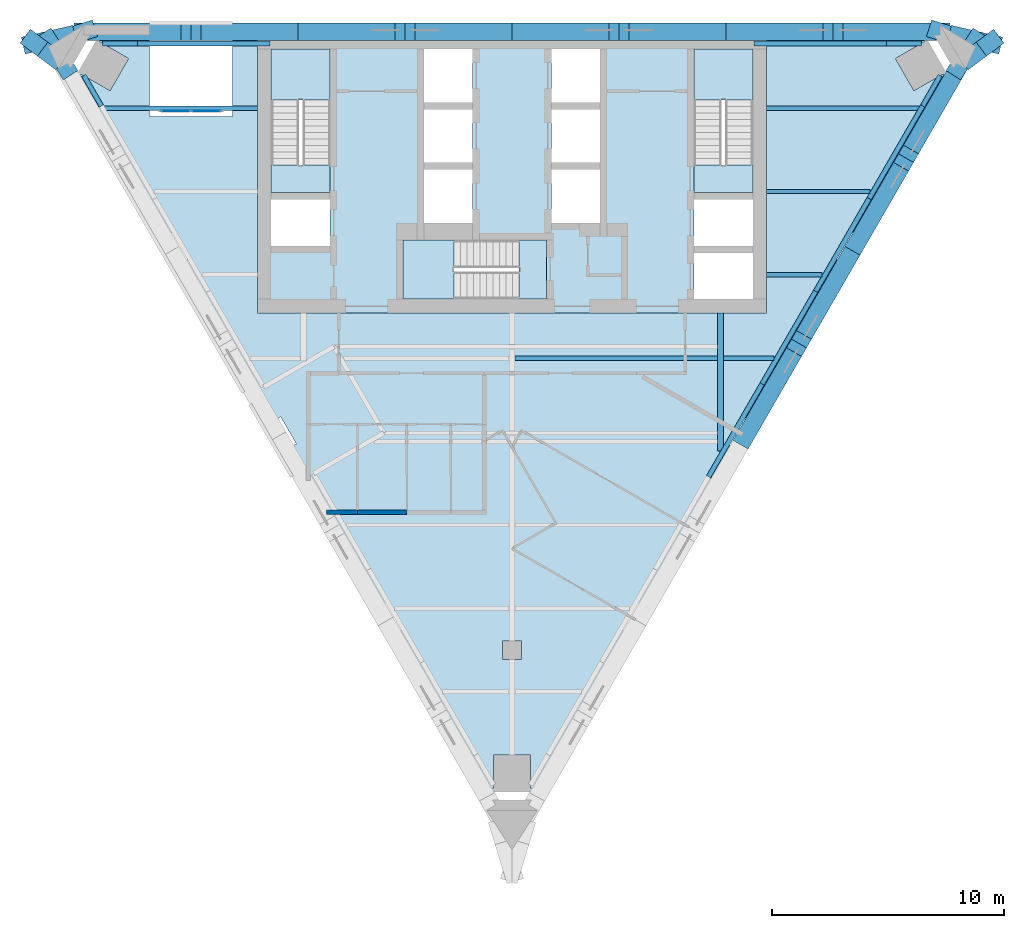
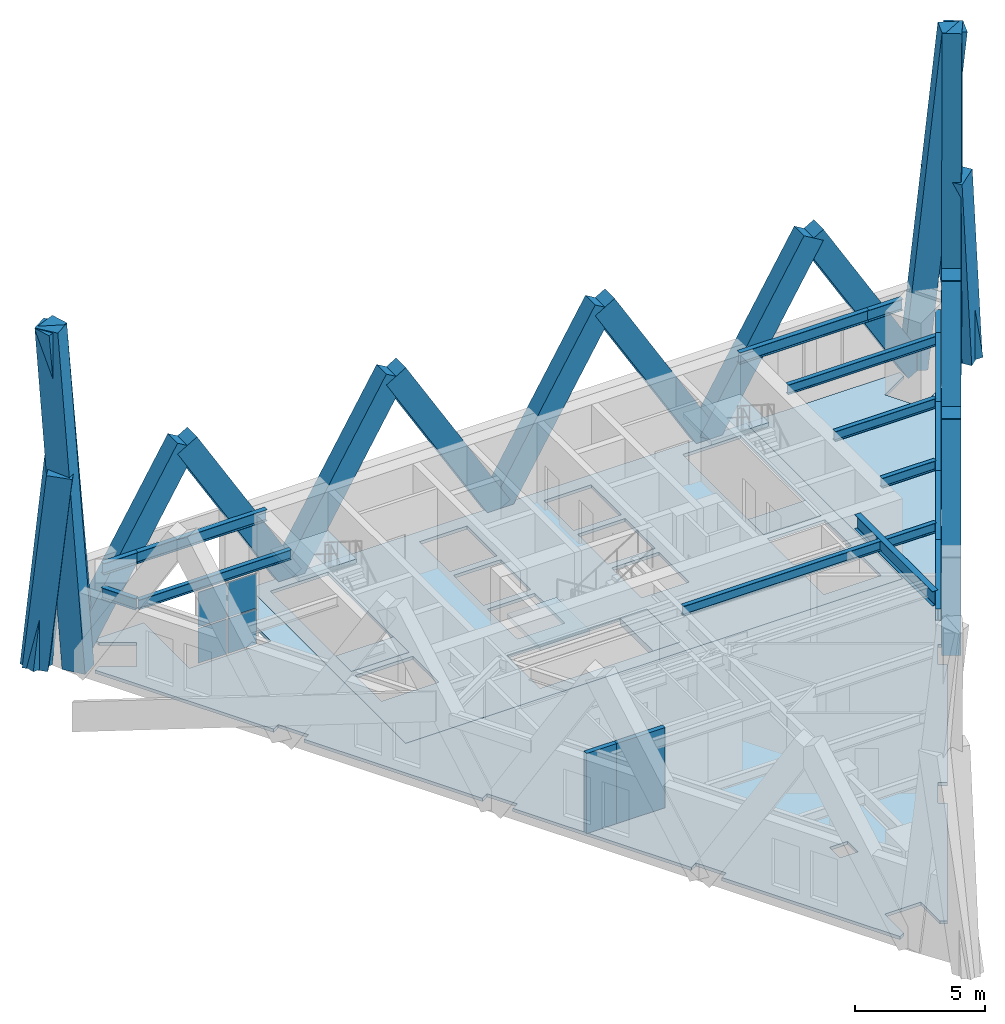
# One storey, part 3 of 9: 20 members, 17 beams, 8 slabs, 4 plates, 2 walls, 4 elements without a shape of their own.
"""IFC4 building model written with IfcOpenShell, lengths in metres."""

from ifc_helpers import new_model, si_unit, direction, frame, frame_2d, origin, origin_2d, place, context, subcontext, project, spatial, polyline, rectangle, i_section, outline, extrude, material, layer, layer_set, material_profile, profile_set, type_object, element, aggregate, save


model = new_model("IFC4")

# Units and contexts
model_context = context("Model", 3, precision=1e-05, world=origin(), true_north=direction((0.0, 1.0)))
body_context = subcontext(model_context, "Body", "Model", "MODEL_VIEW")
ifc_project = project(units=[si_unit("LENGTHUNIT", "METRE"), si_unit("AREAUNIT", "SQUARE_METRE"), si_unit("VOLUMEUNIT", "CUBIC_METRE"), si_unit("PLANEANGLEUNIT", "RADIAN"), si_unit("MASSUNIT", "GRAM", prefix="KILO")], contexts=[model_context])

# Site, building, storey
site_placement = place(None, origin())
site = spatial("IfcSite", under=ifc_project, at=site_placement, CompositionType="ELEMENT")
building_placement = place(site_placement, origin())
building = spatial("IfcBuilding", under=site, at=building_placement, Name="Aloe Facet Convention Tower", CompositionType="ELEMENT")
storey_placement = place(building_placement, frame((0.0, 0.0, 254.300048828125)))
storey = spatial("IfcBuildingStorey", under=building, at=storey_placement, Name="L62", CompositionType="ELEMENT", Elevation=254.300048828125)

# Beams
ifc_material_1 = material(Name="Steel S355", Category="steel")
ifc_material_profile_1 = material_profile(ifc_material_1, i_section(OverallWidth=0.19140625, OverallDepth=0.4599609375, WebThickness=0.010009765625, FlangeThickness=0.01611328125, FilletRadius=0.01025390625, at=origin_2d()), Name="UB 457x191x82")
ifc_profile_set_1 = profile_set([ifc_material_profile_1], Name="Steel S355")
beam_type_1 = type_object("IfcBeamType", Name="SF-B-UB457x191x82", PredefinedType="BEAM", material=ifc_profile_set_1)
beam_1_placement = place(storey_placement, frame((62.26611328125, 131.39990234375, 3.52001953125), z_axis=(1.0, 0.0, 0.0), x_axis=(0.0, 1.0, 0.0)))
element("IfcBeam", 1, at=beam_1_placement, inside=storey, type_object=beam_type_1, Name="Floor beam FB-Z5E-029", PredefinedType="BEAM", context=body_context, shape_type="SweptSolid", body=[
    extrude(i_section(OverallWidth=0.19140625, OverallDepth=0.4599609375, WebThickness=0.010009765625, FlangeThickness=0.01611328125, FilletRadius=0.01025390625, at=origin_2d()), origin(), (0.0, 0.0, 1.0), 6.73388671875),
])
beam_2_placement = place(storey_placement, frame((80.12646484375, 120.60009765625, 3.52001953125), z_axis=(1.0, 0.0, 0.0), x_axis=(0.0, 1.0, 0.0)))
element("IfcBeam", 2, at=beam_2_placement, inside=storey, type_object=beam_type_1, Name="Floor beam FB-Z5E-044", PredefinedType="BEAM", context=body_context, shape_type="SweptSolid", body=[
    extrude(i_section(OverallWidth=0.19140625, OverallDepth=0.4599609375, WebThickness=0.010009765625, FlangeThickness=0.01611328125, FilletRadius=0.01025390625, at=origin_2d()), origin(), (0.0, 0.0, 1.0), 8.7470703125),
])
beam_3_placement = place(storey_placement, frame((89.12646484375, 120.60009765625, 3.52001953125), z_axis=(1.0, 0.0, 0.0), x_axis=(0.0, 1.0, 0.0)))
element("IfcBeam", 3, at=beam_3_placement, inside=storey, type_object=beam_type_1, Name="Floor beam FB-Z5E-045", PredefinedType="BEAM", context=body_context, shape_type="SweptSolid", body=[
    extrude(i_section(OverallWidth=0.19140625, OverallDepth=0.4599609375, WebThickness=0.010009765625, FlangeThickness=0.01611328125, FilletRadius=0.01025390625, at=origin_2d()), origin(), (0.0, 0.0, 1.0), 2.185791015625),
])
beam_4_placement = place(storey_placement, frame((91.0, 124.199951171875, 3.52001953125), z_axis=(1.0, 0.0, 0.0), x_axis=(0.0, 1.0, 0.0)))
element("IfcBeam", 4, at=beam_4_placement, inside=storey, type_object=beam_type_1, Name="Floor beam FB-Z5E-046", PredefinedType="BEAM", context=body_context, shape_type="SweptSolid", body=[
    extrude(i_section(OverallWidth=0.19140625, OverallDepth=0.4599609375, WebThickness=0.010009765625, FlangeThickness=0.01611328125, FilletRadius=0.01025390625, at=origin_2d()), origin(), (0.0, 0.0, 1.0), 2.390869140625),
])
beam_5_placement = place(storey_placement, frame((91.0, 127.800048828125, 3.52001953125), z_axis=(1.0, 0.0, 0.0), x_axis=(0.0, 1.0, 0.0)))
element("IfcBeam", 5, at=beam_5_placement, inside=storey, type_object=beam_type_1, Name="Floor beam FB-Z5E-047", PredefinedType="BEAM", context=body_context, shape_type="SweptSolid", body=[
    extrude(i_section(OverallWidth=0.19140625, OverallDepth=0.4599609375, WebThickness=0.010009765625, FlangeThickness=0.01611328125, FilletRadius=0.01025390625, at=origin_2d()), origin(), (0.0, 0.0, 1.0), 4.46923828125),
])
beam_6_placement = place(storey_placement, frame((91.0, 131.39990234375, 3.52001953125), z_axis=(1.0, 0.0, 0.0), x_axis=(0.0, 1.0, 0.0)))
element("IfcBeam", 6, at=beam_6_placement, inside=storey, type_object=beam_type_1, Name="Floor beam FB-Z5E-048", PredefinedType="BEAM", context=body_context, shape_type="SweptSolid", body=[
    extrude(i_section(OverallWidth=0.19140625, OverallDepth=0.4599609375, WebThickness=0.010009765625, FlangeThickness=0.01611328125, FilletRadius=0.01025390625, at=origin_2d()), origin(), (0.0, 0.0, 1.0), 6.73388671875),
])
ifc_material_2 = material(Name="Steel S355", Category="steel")
ifc_material_profile_2 = material_profile(ifc_material_2, i_section(OverallWidth=0.209228515625, OverallDepth=0.533203125, WebThickness=0.010009765625, FlangeThickness=0.015625, FilletRadius=0.0126953125, at=origin_2d()), Name="UB 533x210x92")
ifc_profile_set_2 = profile_set([ifc_material_profile_2], Name="Steel S355")
beam_type_2 = type_object("IfcBeamType", Name="SF-B-UB533x210x92", PredefinedType="BEAM", material=ifc_profile_set_2)
for number, where, z_axis, x_axis, name in (
    (7, (62.26611328125, 131.495849609375, 3.4833984375), (-0.49996389635, 0.866046247233, 0.0), (-0.866046247233, -0.49996389635, 0.0), "Floor beam FB-Z5E-001"),
    (8, (62.3076171875, 134.1953125, 3.4833984375), (1.0, 0.0, 0.0), (0.0, 1.0, 0.0), "Floor beam FB-Z5E-002"),
):
    element("IfcBeam", number, at=place(storey_placement, frame(where, z_axis=z_axis, x_axis=x_axis)), inside=storey, type_object=beam_type_2, Name=name, PredefinedType="BEAM", context=body_context, shape_type="SweptSolid", body=[
        extrude(i_section(OverallWidth=0.209228515625, OverallDepth=0.533203125, WebThickness=0.010009765625, FlangeThickness=0.015625, FilletRadius=0.0126953125, at=origin_2d()), origin(), (0.0, 0.0, 1.0), 1.51708984375),
    ])
for number, where, z_axis, x_axis, name in (
    (9, (63.82470703125, 134.1953125, 3.4833984375), (1.0, 0.0, 0.0), (0.0, 1.0, 0.0), "Floor beam FB-Z5E-003"),
    (10, (90.453857421875, 134.1953125, 3.4833984375), (1.0, 0.0, 0.0), (0.0, 1.0, 0.0), "Floor beam FB-Z5E-018"),
):
    element("IfcBeam", number, at=place(storey_placement, frame(where, z_axis=z_axis, x_axis=x_axis)), inside=storey, type_object=beam_type_2, Name=name, PredefinedType="BEAM", context=body_context, shape_type="SweptSolid", body=[
        extrude(i_section(OverallWidth=0.209228515625, OverallDepth=0.533203125, WebThickness=0.010009765625, FlangeThickness=0.015625, FilletRadius=0.0126953125, at=origin_2d()), origin(), (0.0, 0.0, 1.0), 5.721435546875),
    ])
for number, where, z_axis, x_axis, name in (
    (11, (90.801513671875, 119.48876953125, 3.4833984375), (-0.49999681804, -0.866027240882, 0.0), (0.866027240882, -0.49999681804, 0.0), "Floor beam FB-Z5E-019"),
    (12, (93.1123046875, 123.4912109375, 3.4833984375), (-0.49999681804, -0.866027240882, 0.0), (0.866027240882, -0.49999681804, 0.0), "Floor beam FB-Z5E-020"),
):
    element("IfcBeam", number, at=place(storey_placement, frame(where, z_axis=z_axis, x_axis=x_axis)), inside=storey, type_object=beam_type_2, Name=name, PredefinedType="BEAM", context=body_context, shape_type="SweptSolid", body=[
        extrude(i_section(OverallWidth=0.209228515625, OverallDepth=0.533203125, WebThickness=0.010009765625, FlangeThickness=0.015625, FilletRadius=0.0126953125, at=origin_2d()), origin(), (0.0, 0.0, 1.0), 4.62158203125),
    ])
beam_7_placement = place(storey_placement, frame((95.423095703125, 127.493408203125, 3.4833984375), z_axis=(-0.500019693086, -0.866014033677, 0.0), x_axis=(0.866014033677, -0.500019693086, 0.0)))
element("IfcBeam", 13, at=beam_7_placement, inside=storey, type_object=beam_type_2, Name="Floor beam FB-Z5E-021", PredefinedType="BEAM", context=body_context, shape_type="SweptSolid", body=[
    extrude(i_section(OverallWidth=0.209228515625, OverallDepth=0.533203125, WebThickness=0.010009765625, FlangeThickness=0.015625, FilletRadius=0.0126953125, at=origin_2d()), origin(), (0.0, 0.0, 1.0), 4.621337890625),
])
beam_8_placement = place(storey_placement, frame((96.17529296875, 134.1953125, 3.4833984375), z_axis=(1.0, 0.0, 0.0), x_axis=(0.0, 1.0, 0.0)))
element("IfcBeam", 14, at=beam_8_placement, inside=storey, type_object=beam_type_2, Name="Floor beam FB-Z5E-022", PredefinedType="BEAM", context=body_context, shape_type="SweptSolid", body=[
    extrude(i_section(OverallWidth=0.209228515625, OverallDepth=0.533203125, WebThickness=0.010009765625, FlangeThickness=0.015625, FilletRadius=0.0126953125, at=origin_2d()), origin(), (0.0, 0.0, 1.0), 1.51708984375),
])
beam_9_placement = place(storey_placement, frame((97.73388671875, 131.495849609375, 3.4833984375), z_axis=(-0.49999681804, -0.866027240882, 0.0), x_axis=(0.866027240882, -0.49999681804, 0.0)))
element("IfcBeam", 15, at=beam_9_placement, inside=storey, type_object=beam_type_2, Name="Floor beam FB-Z5E-023", PredefinedType="BEAM", context=body_context, shape_type="SweptSolid", body=[
    extrude(i_section(OverallWidth=0.209228515625, OverallDepth=0.533203125, WebThickness=0.010009765625, FlangeThickness=0.015625, FilletRadius=0.0126953125, at=origin_2d()), origin(), (0.0, 0.0, 1.0), 4.62158203125),
])
beam_10_placement = place(storey_placement, frame((98.492431640625, 132.809814453125, 3.4833984375), z_axis=(-0.49996389635, -0.866046247233, 0.0), x_axis=(0.866046247233, -0.49996389635, 0.0)))
element("IfcBeam", 16, at=beam_10_placement, inside=storey, type_object=beam_type_2, Name="Floor beam FB-Z5E-024", PredefinedType="BEAM", context=body_context, shape_type="SweptSolid", body=[
    extrude(i_section(OverallWidth=0.209228515625, OverallDepth=0.533203125, WebThickness=0.010009765625, FlangeThickness=0.015625, FilletRadius=0.0126953125, at=origin_2d()), origin(), (0.0, 0.0, 1.0), 1.51708984375),
])
ifc_material_3 = material(Name="Steel S355", Category="steel")
ifc_material_profile_3 = material_profile(ifc_material_3, i_section(OverallWidth=0.2529296875, OverallDepth=0.677978515625, WebThickness=0.01171875, FlangeThickness=0.01611328125, FilletRadius=0.01513671875, at=origin_2d()), Name="UB 686x254x125")
ifc_profile_set_3 = profile_set([ifc_material_profile_3], Name="Steel S355")
beam_type_3 = type_object("IfcBeamType", Name="SF-B-UB686x254x125", PredefinedType="BEAM", material=ifc_profile_set_3)
beam_11_placement = place(storey_placement, frame((89.0, 122.550048828125, 3.4111328125), z_axis=(0.0, -1.0, 0.0), x_axis=(1.0, 0.0, 0.0)))
element("IfcBeam", 17, at=beam_11_placement, inside=storey, type_object=beam_type_3, Name="Floor beam FB-Z5E-028", PredefinedType="BEAM", context=body_context, shape_type="SweptSolid", body=[
    extrude(i_section(OverallWidth=0.2529296875, OverallDepth=0.677978515625, WebThickness=0.01171875, FlangeThickness=0.01611328125, FilletRadius=0.01513671875, at=origin_2d()), origin(), (0.0, 0.0, 1.0), 5.96240234375),
])

# Members
ifc_material_4 = material(Name="Concrete C60/75, bronze oxide finish", Category="concrete")
ifc_material_profile_4 = material_profile(ifc_material_4, rectangle(XDim=0.75, YDim=1.0, at=origin_2d()), Name="STW-LM")
ifc_profile_set_4 = profile_set([ifc_material_profile_4], Name="Concrete C60/75, bronze oxide finish")
member_type = type_object("IfcMemberType", Name="STW-LM", PredefinedType="BRACE", material=ifc_profile_set_4)
for number, where, z_axis, x_axis, name in (
    (18, (98.486083984375, 134.699951171875, 0.0), (-0.50974776773, 0.0, 0.860323900223), (0.0, -1.0, 0.0), "Lattice member LM-Z5-F1-R2-01"),
    (19, (89.2431640625, 134.699951171875, 0.0), (0.509727836338, 0.0, 0.860335709396), (0.0, 1.0, 0.0), "Lattice member LM-Z5-F1-R2-02"),
    (20, (89.2431640625, 134.699951171875, 0.0), (-0.50974776773, 0.0, 0.860323900223), (0.0, -1.0, 0.0), "Lattice member LM-Z5-F1-R2-03"),
    (21, (80.0, 134.699951171875, 0.0), (0.50974776773, 0.0, 0.860323900223), (0.0, 1.0, 0.0), "Lattice member LM-Z5-F1-R2-04"),
    (22, (80.0, 134.699951171875, 0.0), (-0.50974776773, 0.0, 0.860323900223), (0.0, -1.0, 0.0), "Lattice member LM-Z5-F1-R2-05"),
    (23, (70.7568359375, 134.699951171875, 0.0), (0.50974776773, 0.0, 0.860323900223), (0.0, 1.0, 0.0), "Lattice member LM-Z5-F1-R2-06"),
    (24, (70.7568359375, 134.699951171875, 0.0), (-0.509727836338, 0.0, 0.860335709396), (0.0, -1.0, 0.0), "Lattice member LM-Z5-F1-R2-07"),
    (25, (61.513916015625, 134.699951171875, 0.0), (0.50974776773, 0.0, 0.860323900223), (0.0, 1.0, 0.0), "Lattice member LM-Z5-F1-R2-08"),
    (26, (90.083251953125, 117.2353515625, 0.0), (0.254876492185, 0.441435851704, 0.860332704575), (-0.866014033677, 0.500019693086, 0.0), "Lattice member LM-Z5-F3-R2-05"),
    (27, (94.704833984375, 125.239990234375, 0.0), (-0.254873462398, -0.441457532229, 0.860322477565), (0.866027240882, -0.49999681804, 0.0), "Lattice member LM-Z5-F3-R2-06"),
    (28, (94.704833984375, 125.239990234375, 0.0), (0.254873462398, 0.441457532229, 0.860322477565), (-0.866027240882, 0.49999681804, 0.0), "Lattice member LM-Z5-F3-R2-07"),
    (29, (99.326416015625, 133.24462890625, 0.0), (-0.254876492185, -0.441435851704, 0.860332704575), (0.866014033677, -0.500019693086, 0.0), "Lattice member LM-Z5-F3-R2-08"),
):
    element("IfcMember", number, at=place(storey_placement, frame(where, z_axis=z_axis, x_axis=x_axis)), inside=storey, type_object=member_type, Name=name, PredefinedType="BRACE", context=body_context, shape_type="SweptSolid", body=[
        extrude(rectangle(XDim=0.75, YDim=1.0, at=origin_2d()), origin(), (0.0, 0.0, 1.0), 9.06640625),
    ])
member_1_placement = place(storey_placement, frame((99.326416015625, 133.24462890625, 0.0), z_axis=(0.040496890827, 0.063499749047, 0.997159858651), x_axis=(-0.843132086648, 0.537706504019, 0.0)))
element("IfcMember", 30, at=member_1_placement, inside=storey, type_object=member_type, Name="Lattice member LM-Z5-F6-R2-01", PredefinedType="BRACE", context=body_context, shape_type="SweptSolid", body=[
    extrude(rectangle(XDim=0.75, YDim=1.0, at=origin_2d()), origin(), (0.0, 0.0, 1.0), 15.644287109375),
])
member_2_placement = place(storey_placement, frame((100.62353515625, 134.21142578125, 0.0), z_axis=(-0.082692517335, -0.061644486692, 0.994666730537), x_axis=(0.597671167167, -0.801741339796, 0.0)))
element("IfcMember", 31, at=member_2_placement, inside=storey, type_object=member_type, Name="Lattice member LM-Z5-F6-R2-02", PredefinedType="BRACE", context=body_context, shape_type="SweptSolid", body=[
    extrude(rectangle(XDim=0.75, YDim=1.0, at=origin_2d()), origin(), (0.0, 0.0, 1.0), 9.116943359375),
])
member_3_placement = place(storey_placement, frame((98.486083984375, 134.699951171875, 0.0), z_axis=(0.094020449293, -0.029466074219, 0.995134114371), x_axis=(0.299057902332, 0.954234966375, 0.0)))
element("IfcMember", 32, at=member_3_placement, inside=storey, type_object=member_type, Name="Lattice member LM-Z5-F6-R2-03", PredefinedType="BRACE", context=body_context, shape_type="SweptSolid", body=[
    extrude(rectangle(XDim=0.75, YDim=1.0, at=origin_2d()), origin(), (0.0, 0.0, 1.0), 15.676025390625),
])
member_4_placement = place(storey_placement, frame((100.62353515625, 134.21142578125, 0.0), z_axis=(-0.135661034169, 0.031003709191, 0.990270091351), x_axis=(-0.222793884091, -0.974865572893, 0.0)))
element("IfcMember", 33, at=member_4_placement, inside=storey, type_object=member_type, Name="Lattice member LM-Z5-F6-R2-04", PredefinedType="BRACE", context=body_context, shape_type="SweptSolid", body=[
    extrude(rectangle(XDim=0.75, YDim=1.0, at=origin_2d()), origin(), (0.0, 0.0, 1.0), 9.24462890625),
])
member_5_placement = place(storey_placement, frame((61.513916015625, 134.699951171875, 0.0), z_axis=(-0.094020449293, -0.029466074219, 0.995134114371), x_axis=(0.299057902332, -0.954234966375, 0.0)))
element("IfcMember", 34, at=member_5_placement, inside=storey, type_object=member_type, Name="Lattice member LM-Z5-F4-R2-01", PredefinedType="BRACE", context=body_context, shape_type="SweptSolid", body=[
    extrude(rectangle(XDim=0.75, YDim=1.0, at=origin_2d()), origin(), (0.0, 0.0, 1.0), 15.676025390625),
])
member_6_placement = place(storey_placement, frame((59.37646484375, 134.21142578125, 0.0), z_axis=(0.135661034169, 0.031003709191, 0.990270091351), x_axis=(-0.222793884091, 0.974865572893, 0.0)))
element("IfcMember", 35, at=member_6_placement, inside=storey, type_object=member_type, Name="Lattice member LM-Z5-F4-R2-02", PredefinedType="BRACE", context=body_context, shape_type="SweptSolid", body=[
    extrude(rectangle(XDim=0.75, YDim=1.0, at=origin_2d()), origin(), (0.0, 0.0, 1.0), 9.24462890625),
])
member_7_placement = place(storey_placement, frame((60.673583984375, 133.24462890625, 0.0), z_axis=(-0.040496890827, 0.063499749047, 0.997159858651), x_axis=(-0.843132086648, -0.537706504019, 0.0)))
element("IfcMember", 36, at=member_7_placement, inside=storey, type_object=member_type, Name="Lattice member LM-Z5-F4-R2-03", PredefinedType="BRACE", context=body_context, shape_type="SweptSolid", body=[
    extrude(rectangle(XDim=0.75, YDim=1.0, at=origin_2d()), origin(), (0.0, 0.0, 1.0), 15.644287109375),
])
member_8_placement = place(storey_placement, frame((59.37646484375, 134.21142578125, 0.0), z_axis=(0.082692517335, -0.061644486692, 0.994666730537), x_axis=(0.597671167167, 0.801741339796, 0.0)))
element("IfcMember", 37, at=member_8_placement, inside=storey, type_object=member_type, Name="Lattice member LM-Z5-F4-R2-04", PredefinedType="BRACE", context=body_context, shape_type="SweptSolid", body=[
    extrude(rectangle(XDim=0.75, YDim=1.0, at=origin_2d()), origin(), (0.0, 0.0, 1.0), 9.116943359375),
])

# Slabs
ifc_material_5 = material(Name="Concrete C50/60", Category="concrete")
ifc_layer_1 = layer(ifc_material_5, 0.14990234375)
ifc_layer_set_1 = layer_set([ifc_layer_1], Name="CR-S-FLOOR150-C5060")
slab_type_1 = type_object("IfcSlabType", Name="CR-S-FLOOR150-C5060", PredefinedType="FLOOR", material=ifc_layer_set_1)
slab_1_placement = place(storey_placement, frame((0.0, 0.0, -0.150146484375)))
element("IfcSlab", 38, at=slab_1_placement, inside=storey, type_object=slab_type_1, Name="Core floor L62", PredefinedType="FLOOR", context=body_context, shape_type="SweptSolid", body=[
    extrude(outline(polyline([(71.85009765625, 134.550048828125), (72.75, 134.550048828125), (75.60009765625, 134.550048828125), (76.5, 134.550048828125), (78.0, 134.550048828125), (78.89990234375, 134.550048828125), (81.10009765625, 134.550048828125), (82.0, 134.550048828125), (83.5, 134.550048828125), (84.39990234375, 134.550048828125), (87.25, 134.550048828125), (88.14990234375, 134.550048828125), (91.0, 134.550048828125), (91.0, 128.050048828125), (91.0, 127.14990234375), (91.0, 125.75), (91.0, 124.85009765625), (91.0, 122.550048828125), (88.14990234375, 122.550048828125), (87.25, 122.550048828125), (85.300048828125, 122.550048828125), (84.39990234375, 122.550048828125), (82.10009765625, 122.550048828125), (81.199951171875, 122.550048828125), (75.60009765625, 122.550048828125), (74.699951171875, 122.550048828125), (72.75, 122.550048828125), (71.85009765625, 122.550048828125), (69.0, 122.550048828125), (69.0, 124.85009765625), (69.0, 125.75), (69.0, 127.14990234375), (69.0, 128.050048828125), (69.0, 134.550048828125), (71.85009765625, 134.550048828125)]), holes=[polyline([(80.298828125, 123.14990234375), (81.5, 123.14990234375), (81.5, 125.699951171875), (80.298828125, 125.699951171875), (75.300048828125, 125.699951171875), (75.300048828125, 123.14990234375), (80.298828125, 123.14990234375)]), polyline([(69.60009765625, 125.449951171875), (72.14990234375, 125.449951171875), (72.14990234375, 127.449951171875), (69.60009765625, 127.449951171875), (69.60009765625, 125.449951171875)]), polyline([(76.199951171875, 126.449951171875), (78.300048828125, 126.449951171875), (78.300048828125, 128.75), (76.199951171875, 128.75), (76.199951171875, 126.449951171875)]), polyline([(78.300048828125, 129.050048828125), (78.300048828125, 131.35009765625), (76.199951171875, 131.35009765625), (76.199951171875, 129.050048828125), (78.300048828125, 129.050048828125)]), polyline([(69.60009765625, 133.949951171875), (69.60009765625, 128.951171875), (69.60009765625, 127.75), (72.14990234375, 127.75), (72.14990234375, 128.951171875), (72.14990234375, 133.949951171875), (69.60009765625, 133.949951171875)]), polyline([(76.199951171875, 131.64990234375), (78.300048828125, 131.64990234375), (78.300048828125, 133.949951171875), (76.199951171875, 133.949951171875), (76.199951171875, 131.64990234375)]), polyline([(90.39990234375, 123.14990234375), (90.39990234375, 125.14990234375), (87.85009765625, 125.14990234375), (87.85009765625, 123.14990234375), (90.39990234375, 123.14990234375)]), polyline([(87.85009765625, 125.449951171875), (90.39990234375, 125.449951171875), (90.39990234375, 127.449951171875), (87.85009765625, 127.449951171875), (87.85009765625, 125.449951171875)]), polyline([(81.699951171875, 126.449951171875), (83.800048828125, 126.449951171875), (83.800048828125, 128.75), (81.699951171875, 128.75), (81.699951171875, 126.449951171875)]), polyline([(83.800048828125, 129.050048828125), (83.800048828125, 131.35009765625), (81.699951171875, 131.35009765625), (81.699951171875, 129.050048828125), (83.800048828125, 129.050048828125)]), polyline([(87.85009765625, 133.949951171875), (87.85009765625, 128.951171875), (87.85009765625, 127.75), (90.39990234375, 127.75), (90.39990234375, 128.951171875), (90.39990234375, 133.949951171875), (87.85009765625, 133.949951171875)]), polyline([(81.699951171875, 131.64990234375), (83.800048828125, 131.64990234375), (83.800048828125, 133.949951171875), (81.699951171875, 133.949951171875), (81.699951171875, 131.64990234375)])]), origin(), (0.0, 0.0, 1.0), 0.150146484375),
])
ifc_material_6 = material(Name="Concrete C50/60", Category="concrete")
ifc_layer_2 = layer(ifc_material_6, 0.300048828125)
ifc_layer_set_2 = layer_set([ifc_layer_2], Name="CR-S-FLOOR300-C5060")
slab_type_2 = type_object("IfcSlabType", Name="CR-S-FLOOR300-C5060", PredefinedType="FLOOR", material=ifc_layer_set_2)
slab_2_placement = place(storey_placement, frame((0.0, 0.0, -0.300048828125)))
element("IfcSlab", 39, at=slab_2_placement, inside=storey, type_object=slab_type_2, Name="Stair landing floor L62", PredefinedType="FLOOR", context=body_context, shape_type="SweptSolid", body=[
    extrude(outline(polyline([(72.14990234375, 127.75), (72.14990234375, 128.951171875), (69.60009765625, 128.951171875), (69.60009765625, 127.75), (72.14990234375, 127.75)])), origin(), (0.0, 0.0, 1.0), 0.300048828125),
])
slab_3_placement = place(storey_placement, frame((0.0, 0.0, -0.300048828125)))
element("IfcSlab", 40, at=slab_3_placement, inside=storey, type_object=slab_type_2, Name="Stair landing floor L62", PredefinedType="FLOOR", context=body_context, shape_type="SweptSolid", body=[
    extrude(outline(polyline([(90.39990234375, 127.75), (90.39990234375, 128.951171875), (87.85009765625, 128.951171875), (87.85009765625, 127.75), (90.39990234375, 127.75)])), origin(), (0.0, 0.0, 1.0), 0.300048828125),
])
slab_4_placement = place(storey_placement, frame((0.0, 0.0, -0.300048828125)))
element("IfcSlab", 41, at=slab_4_placement, inside=storey, type_object=slab_type_2, Name="Stair landing floor L62", PredefinedType="FLOOR", context=body_context, shape_type="SweptSolid", body=[
    extrude(outline(polyline([(81.5, 125.699951171875), (80.298828125, 125.699951171875), (80.298828125, 123.14990234375), (81.5, 123.14990234375), (81.5, 125.699951171875)])), origin(), (0.0, 0.0, 1.0), 0.300048828125),
])

# Stair, slab
ifc_material_7 = material(Name="Concrete C50/60", Category="concrete")
stair_type = type_object("IfcStairType", Name="CR-ST-22R", PredefinedType="HALF_TURN_STAIR", material=ifc_material_7)
stair_1_placement = place(storey_placement, origin())
stair_1 = element("IfcStair", 42, at=stair_1_placement, inside=storey, type_object=stair_type, Name="L62 Protected exit stair ST1", PredefinedType="HALF_TURN_STAIR")
ifc_material_8 = material(Name="Concrete C50/60", Category="concrete")
ifc_layer_3 = layer(ifc_material_8, 0.199951171875)
ifc_layer_set_3 = layer_set([ifc_layer_3], Name="CR-SL-LANDING")
slab_type_3 = type_object("IfcSlabType", Name="CR-SL-LANDING", PredefinedType="LANDING", material=ifc_layer_set_3)
slab_5_placement = place(storey_placement, frame((0.0, 0.0, 1.75)))
slab_5 = element("IfcSlab", 43, at=slab_5_placement, type_object=slab_type_3, Name="ST1 landing 1", PredefinedType="LANDING", context=body_context, shape_type="SweptSolid", body=[
    extrude(outline(polyline([(72.14990234375, 131.75), (72.14990234375, 133.949951171875), (69.60009765625, 133.949951171875), (69.60009765625, 131.75), (72.14990234375, 131.75)])), origin(), (0.0, 0.0, 1.0), 0.199951171875),
])
aggregate(stair_1, [slab_5])

stair_2_placement = place(storey_placement, origin())
stair_2 = element("IfcStair", 44, at=stair_2_placement, inside=storey, type_object=stair_type, Name="L62 Protected exit stair ST2", PredefinedType="HALF_TURN_STAIR")
slab_6_placement = place(storey_placement, frame((0.0, 0.0, 1.75)))
slab_6 = element("IfcSlab", 45, at=slab_6_placement, type_object=slab_type_3, Name="ST2 landing 1", PredefinedType="LANDING", context=body_context, shape_type="SweptSolid", body=[
    extrude(outline(polyline([(90.39990234375, 131.75), (90.39990234375, 133.949951171875), (87.85009765625, 133.949951171875), (87.85009765625, 131.75), (90.39990234375, 131.75)])), origin(), (0.0, 0.0, 1.0), 0.199951171875),
])
aggregate(stair_2, [slab_6])

stair_3_placement = place(storey_placement, origin())
stair_3 = element("IfcStair", 46, at=stair_3_placement, inside=storey, type_object=stair_type, Name="L62 Protected exit stair ST3", PredefinedType="HALF_TURN_STAIR")
slab_7_placement = place(storey_placement, frame((0.0, 0.0, 1.75)))
slab_7 = element("IfcSlab", 47, at=slab_7_placement, type_object=slab_type_3, Name="ST3 landing 1", PredefinedType="LANDING", context=body_context, shape_type="SweptSolid", body=[
    extrude(outline(polyline([(77.5, 125.699951171875), (75.300048828125, 125.699951171875), (75.300048828125, 123.14990234375), (77.5, 123.14990234375), (77.5, 125.699951171875)])), origin(), (0.0, 0.0, 1.0), 0.199951171875),
])
aggregate(stair_3, [slab_7])

# Curtain wall, plates
ifc_material_9 = material(Name="Aluminium, anodised", Category="aluminium")
curtain_wall_type = type_object("IfcCurtainWallType", Name="EV-CW-TERRACE", PredefinedType="USERDEFINED", material=ifc_material_9)
curtain_wall_placement = place(storey_placement, origin())
curtain_wall = element("IfcCurtainWall", 48, at=curtain_wall_placement, inside=storey, type_object=curtain_wall_type, Name="CW-T13", ObjectType="TERRACE BACK GLAZING", PredefinedType="USERDEFINED")
ifc_material_10 = material(Name="Clear double glazing", Category="glass")
ifc_layer_4 = layer(ifc_material_10, 0.028076171875)
ifc_layer_set_4 = layer_set([ifc_layer_4], Name="EV-PANEL-TERRACE")
plate_type = type_object("IfcPlateType", Name="EV-PANEL-TERRACE", PredefinedType="CURTAIN_PANEL", material=ifc_layer_set_4)
plate_1_placement = place(storey_placement, frame((66.79541015625, 131.27490234375, -0.090087890625), z_axis=(0.0, 0.0, 1.0), x_axis=(-1.0, 0.0, 0.0)))
plate_1 = element("IfcPlate", 49, at=plate_1_placement, type_object=plate_type, Name="CW-T13 panel 1.1", PredefinedType="CURTAIN_PANEL", context=body_context, shape_type="SweptSolid", body=[
    extrude(rectangle(XDim=1.260009765625, YDim=0.028076171875, at=origin_2d()), origin(), (0.0, 0.0, 1.0), 1.6298828125),
])
plate_2_placement = place(storey_placement, frame((66.79541015625, 131.27490234375, 1.60009765625), z_axis=(0.0, 0.0, 1.0), x_axis=(-1.0, 0.0, 0.0)))
plate_2 = element("IfcPlate", 50, at=plate_2_placement, type_object=plate_type, Name="CW-T13 panel 1.2", PredefinedType="CURTAIN_PANEL", context=body_context, shape_type="SweptSolid", body=[
    extrude(rectangle(XDim=1.260009765625, YDim=0.028076171875, at=origin_2d()), origin(), (0.0, 0.0, 1.0), 1.6298828125),
])
plate_3_placement = place(storey_placement, frame((65.475341796875, 131.27490234375, -0.090087890625), z_axis=(0.0, 0.0, 1.0), x_axis=(-1.0, 0.0, 0.0)))
plate_3 = element("IfcPlate", 51, at=plate_3_placement, type_object=plate_type, Name="CW-T13 panel 2.1", PredefinedType="CURTAIN_PANEL", context=body_context, shape_type="SweptSolid", body=[
    extrude(rectangle(XDim=1.260009765625, YDim=0.028076171875, at=origin_2d()), origin(), (0.0, 0.0, 1.0), 1.6298828125),
])
plate_4_placement = place(storey_placement, frame((65.475341796875, 131.27490234375, 1.60009765625), z_axis=(0.0, 0.0, 1.0), x_axis=(-1.0, 0.0, 0.0)))
plate_4 = element("IfcPlate", 52, at=plate_4_placement, type_object=plate_type, Name="CW-T13 panel 2.2", PredefinedType="CURTAIN_PANEL", context=body_context, shape_type="SweptSolid", body=[
    extrude(rectangle(XDim=1.260009765625, YDim=0.028076171875, at=origin_2d()), origin(), (0.0, 0.0, 1.0), 1.6298828125),
])
aggregate(curtain_wall, [plate_1, plate_2, plate_3, plate_4])

# Slab
ifc_material_11 = material(Name="Concrete C35/45", Category="concrete")
ifc_layer_5 = layer(ifc_material_11, 0.14990234375)
ifc_layer_set_5 = layer_set([ifc_layer_5], Name="SF-FS-150")
slab_type_4 = type_object("IfcSlabType", Name="SF-FS-150", PredefinedType="FLOOR", material=ifc_layer_set_5)
slab_8_placement = place(storey_placement, frame((0.0, 0.0, -0.150146484375)))
element("IfcSlab", 53, at=slab_8_placement, inside=storey, type_object=slab_type_4, Name="Floor slab L62-1", PredefinedType="FLOOR", context=body_context, shape_type="SweptSolid", body=[
    extrude(outline(polyline([(94.909912109375, 125.895263671875), (94.606689453125, 126.0703125), (94.5625, 125.993408203125), (94.3779296875, 125.673583984375), (94.271728515625, 125.489990234375), (93.981201171875, 124.98681640625), (93.936767578125, 124.90966796875), (94.239990234375, 124.734619140625), (90.288330078125, 117.890380859375), (89.9853515625, 118.0654296875), (89.94091796875, 117.988525390625), (89.77685546875, 117.70458984375), (89.315185546875, 116.905029296875), (89.618408203125, 116.72998046875), (85.6669921875, 109.8857421875), (85.36376953125, 110.060791015625), (85.3193359375, 109.98388671875), (85.06494140625, 109.54345703125), (85.02880859375, 109.48046875), (84.902099609375, 109.26123046875), (84.8056640625, 109.093994140625), (84.738037109375, 108.977294921875), (84.693603515625, 108.900146484375), (84.996826171875, 108.72509765625), (81.04541015625, 101.881103515625), (80.800048828125, 102.022705078125), (80.800048828125, 103.475830078125), (79.199951171875, 103.475830078125), (79.199951171875, 102.022705078125), (78.95458984375, 101.881103515625), (75.003173828125, 108.72509765625), (75.306396484375, 108.900146484375), (75.261962890625, 108.977294921875), (75.114501953125, 109.232666015625), (75.052490234375, 109.339599609375), (74.93505859375, 109.54345703125), (74.63623046875, 110.060791015625), (74.3330078125, 109.8857421875), (70.381591796875, 116.72998046875), (70.684814453125, 116.905029296875), (70.349609375, 117.4853515625), (70.12548828125, 117.873779296875), (70.0146484375, 118.0654296875), (69.711669921875, 117.890380859375), (65.760009765625, 124.734619140625), (66.063232421875, 124.90966796875), (65.6015625, 125.709228515625), (65.4375, 125.993408203125), (65.4375, 125.993408203125), (65.393310546875, 126.0703125), (65.090087890625, 125.895263671875), (61.138671875, 132.739501953125), (61.3837890625, 132.881103515625), (62.642333984375, 132.154541015625), (63.4423828125, 133.540283203125), (62.183837890625, 134.2666015625), (62.183837890625, 134.550048828125), (64.33544921875, 134.550048828125), (64.33544921875, 131.050048828125), (67.935302734375, 131.050048828125), (67.935302734375, 134.550048828125), (69.0, 134.550048828125), (69.0, 128.050048828125), (69.0, 127.14990234375), (69.0, 125.75), (69.0, 124.85009765625), (69.0, 122.550048828125), (71.85009765625, 122.550048828125), (72.75, 122.550048828125), (74.699951171875, 122.550048828125), (75.60009765625, 122.550048828125), (81.199951171875, 122.550048828125), (82.10009765625, 122.550048828125), (84.39990234375, 122.550048828125), (85.300048828125, 122.550048828125), (87.25, 122.550048828125), (88.14990234375, 122.550048828125), (91.0, 122.550048828125), (91.0, 124.85009765625), (91.0, 125.75), (91.0, 127.14990234375), (91.0, 128.050048828125), (91.0, 134.550048828125), (97.816162109375, 134.550048828125), (97.816162109375, 134.2666015625), (96.5576171875, 133.540283203125), (97.357666015625, 132.154541015625), (98.6162109375, 132.881103515625), (98.861328125, 132.739501953125), (94.909912109375, 125.895263671875)]), holes=[polyline([(79.60009765625, 107.60009765625), (80.39990234375, 107.60009765625), (80.39990234375, 108.39990234375), (79.60009765625, 108.39990234375), (79.60009765625, 107.60009765625)])]), origin(), (0.0, 0.0, 1.0), 0.150146484375),
])

# Walls
ifc_material_12 = material(Name="Gypsum board partition on steel studs", Category="steel")
ifc_layer_6 = layer(ifc_material_12, 0.199951171875)
ifc_layer_set_6 = layer_set([ifc_layer_6], Name="IN-W-PARTY")
wall_type = type_object("IfcWallType", Name="IN-W-PARTY", PredefinedType="PARTITIONING", material=ifc_layer_set_6)
wall_1_placement = place(storey_placement, frame((71.98681640625, 113.949951171875, 0.0), z_axis=(0.0, 0.0, 1.0), x_axis=(1.0, 0.0, 0.0)))
element("IfcWall", 54, at=wall_1_placement, inside=storey, type_object=wall_type, Name="Partition L62-W005", PredefinedType="PARTITIONING", context=body_context, shape_type="SweptSolid", body=[
    extrude(rectangle(XDim=1.331298828125, YDim=0.199951171875, at=frame_2d((0.66552734375, 0.0))), origin(), (0.0, 0.0, 1.0), 3.75),
])
wall_2_placement = place(storey_placement, frame((73.318115234375, 113.949951171875, 0.0), z_axis=(0.0, 0.0, 1.0), x_axis=(1.0, 0.0, 0.0)))
element("IfcWall", 55, at=wall_2_placement, inside=storey, type_object=wall_type, Name="Partition L62-W006", PredefinedType="PARTITIONING", context=body_context, shape_type="SweptSolid", body=[
    extrude(rectangle(XDim=2.14794921875, YDim=0.199951171875, at=frame_2d((1.073974609375, 0.0))), origin(), (0.0, 0.0, 1.0), 3.75),
])

save(model, "model.ifc")
